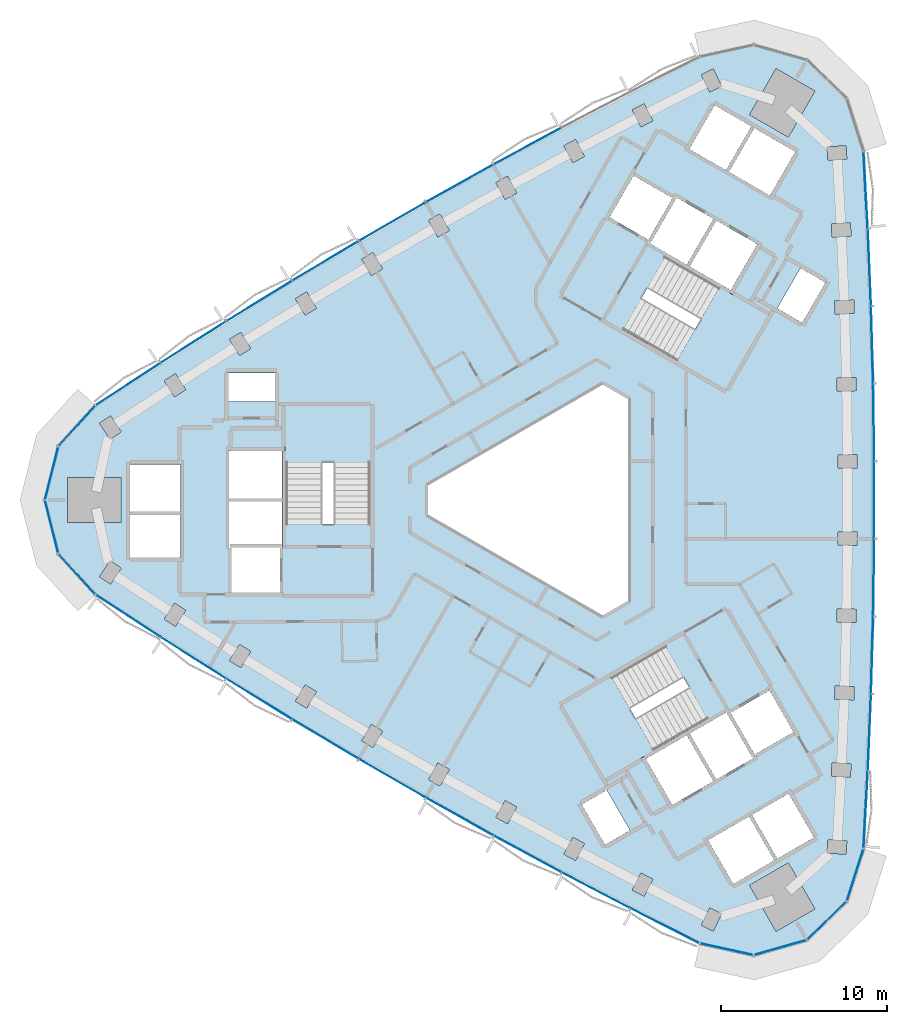
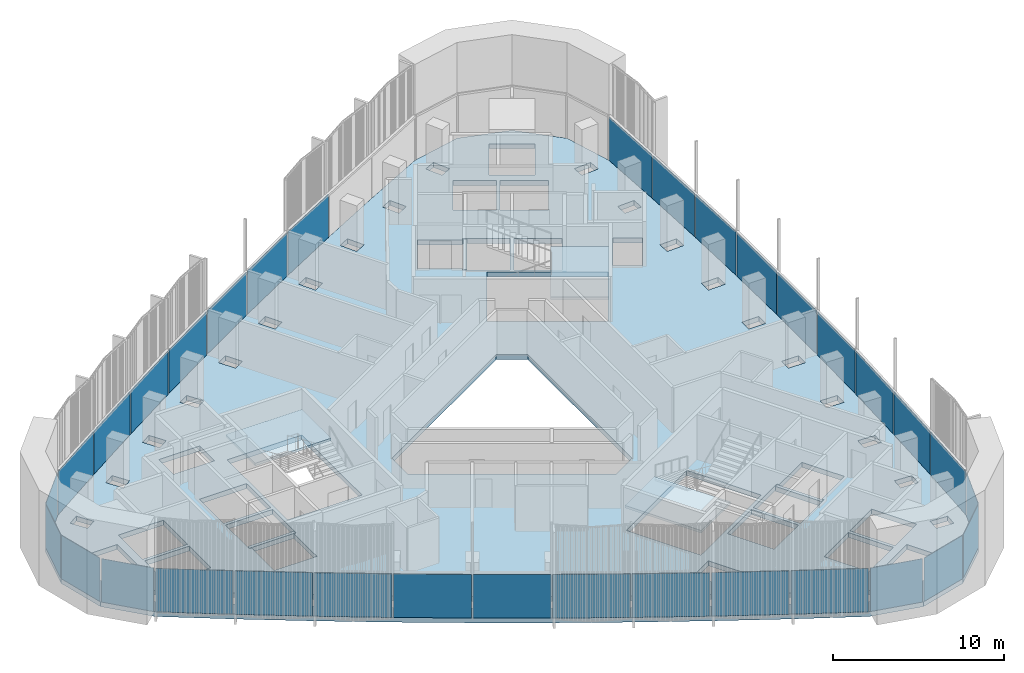
# One storey, part 6 of 14: 33 plates, 4 slabs, 6 elements without a shape of their own.
"""IFC4 building model written with IfcOpenShell, lengths in metres."""

from ifc_helpers import new_model, si_unit, direction, frame, origin, origin_2d, place, context, subcontext, project, spatial, polyline, rectangle, outline, extrude, material, layer, layer_set, type_object, element, aggregate, save


model = new_model("IFC4")

# Units and contexts
model_context = context("Model", 3, precision=1e-05, world=origin(), true_north=direction((0.0, 1.0)))
body_context = subcontext(model_context, "Body", "Model", "MODEL_VIEW")
ifc_project = project(units=[si_unit("LENGTHUNIT", "METRE"), si_unit("AREAUNIT", "SQUARE_METRE"), si_unit("VOLUMEUNIT", "CUBIC_METRE"), si_unit("PLANEANGLEUNIT", "RADIAN"), si_unit("MASSUNIT", "GRAM", prefix="KILO")], contexts=[model_context])

# Site, building, storey
site_placement = place(None, origin())
site = spatial("IfcSite", under=ifc_project, at=site_placement, CompositionType="ELEMENT")
building_placement = place(site_placement, origin())
building = spatial("IfcBuilding", under=site, at=building_placement, Name="Tamra Quay Hotel Tower", CompositionType="ELEMENT")
storey_placement = place(building_placement, frame((0.0, 0.0, 175.60009765625)))
storey = spatial("IfcBuildingStorey", under=building, at=storey_placement, Name="L43", CompositionType="ELEMENT", Elevation=175.60009765625)

# Stair, slab
ifc_material_1 = material(Name="Exit stair 2200 24 risers 150.0 going 342")
stair_type = type_object("IfcStairType", Name="Exit stair 2200 24 risers 150.0 going 342", PredefinedType="HALF_TURN_STAIR", material=ifc_material_1)
stair_1_placement = place(storey_placement, origin())
stair_1 = element("IfcStair", 1, at=stair_1_placement, inside=storey, type_object=stair_type, Name="L43 Exit stair ST3", PredefinedType="HALF_TURN_STAIR")
ifc_material_2 = material(Name="Concrete M70", Category="concrete")
ifc_layer_1 = layer(ifc_material_2, 0.175048828125)
ifc_layer_set_1 = layer_set([ifc_layer_1], Name="Concrete M70 stair landing 180")
slab_type_1 = type_object("IfcSlabType", Name="Concrete M70 stair landing 180", PredefinedType="LANDING", material=ifc_layer_set_1)
slab_1_placement = place(storey_placement, frame((0.0, 0.0, 1.625)))
slab_1 = element("IfcSlab", 2, at=slab_1_placement, type_object=slab_type_1, Name="ST3 landing 1", PredefinedType="LANDING", context=body_context, shape_type="SweptSolid", body=[
    extrude(outline(polyline([(-10.932373046875, 2.261962890625), (-10.932373046875, 5.679931640625), (-16.09130859375, 5.679931640625), (-16.09130859375, 2.261962890625), (-10.932373046875, 2.261962890625)])), origin(), (0.0, 0.0, 1.0), 0.1748046875),
])
aggregate(stair_1, [slab_1])

stair_2_placement = place(storey_placement, origin())
stair_2 = element("IfcStair", 3, at=stair_2_placement, inside=storey, type_object=stair_type, Name="L43 Exit stair ST1", PredefinedType="HALF_TURN_STAIR")
slab_2_placement = place(storey_placement, frame((0.0, 0.0, 1.625)))
slab_2 = element("IfcSlab", 4, at=slab_2_placement, type_object=slab_type_1, Name="ST1 landing 1", PredefinedType="LANDING", context=body_context, shape_type="SweptSolid", body=[
    extrude(outline(polyline([(7.425048828125, 8.336669921875), (10.385009765625, 6.627685546875), (12.964599609375, 11.095458984375), (10.00439453125, 12.804443359375), (7.425048828125, 8.336669921875)])), origin(), (0.0, 0.0, 1.0), 0.1748046875),
])
aggregate(stair_2, [slab_2])

stair_3_placement = place(storey_placement, origin())
stair_3 = element("IfcStair", 5, at=stair_3_placement, inside=storey, type_object=stair_type, Name="L43 Exit stair ST2", PredefinedType="HALF_TURN_STAIR")
slab_3_placement = place(storey_placement, frame((0.0, 0.0, 1.625)))
slab_3 = element("IfcSlab", 6, at=slab_3_placement, type_object=slab_type_1, Name="ST2 landing 1", PredefinedType="LANDING", context=body_context, shape_type="SweptSolid", body=[
    extrude(outline(polyline([(3.50732421875, -10.5986328125), (0.547119140625, -12.3076171875), (3.126708984375, -16.775390625), (6.086669921875, -15.06640625), (3.50732421875, -10.5986328125)])), origin(), (0.0, 0.0, 1.0), 0.1748046875),
])
aggregate(stair_3, [slab_3])

# Slab
ifc_material_3 = material(Name="Concrete M60", Category="concrete")
ifc_layer_2 = layer(ifc_material_3, 0.35009765625)
ifc_layer_set_2 = layer_set([ifc_layer_2], Name="FLOOR SLAB PT 350")
slab_type_2 = type_object("IfcSlabType", Name="FLOOR SLAB PT 350", PredefinedType="FLOOR", material=ifc_layer_set_2)
slab_4_placement = place(storey_placement, frame((0.0, 0.0, -0.35009765625)))
element("IfcSlab", 7, at=slab_4_placement, inside=storey, type_object=slab_type_2, Name="SLAB-L43", PredefinedType="FLOOR", context=body_context, shape_type="SweptSolid", body=[
    extrude(outline(polyline([(18.923583984375, 16.302734375), (19.117431640625, 11.646728515625), (19.246826171875, 6.989501953125), (19.3115234375, 2.330078125), (19.3115234375, -2.330078125), (19.246826171875, -6.989501953125), (19.117431640625, -11.646728515625), (18.923583984375, -16.302734375), (18.665283203125, -20.955078125), (17.65576171875, -24.1259765625), (15.2666015625, -26.4423828125), (12.06591796875, -27.353271484375), (8.81494140625, -26.642333984375), (4.65673828125, -24.539794921875), (0.527587890625, -22.379638671875), (-3.5703125, -20.1630859375), (-7.637939453125, -17.88916015625), (-11.673583984375, -15.55908203125), (-15.676513671875, -13.17333984375), (-19.645263671875, -10.73291015625), (-23.580322265625, -8.23681640625), (-27.48046875, -5.68701171875), (-29.7216796875, -3.227294921875), (-30.532958984375, 0.0), (-29.7216796875, 3.227294921875), (-27.48046875, 5.68701171875), (-23.580322265625, 8.23681640625), (-19.645263671875, 10.73291015625), (-15.676513671875, 13.17333984375), (-11.673583984375, 15.55908203125), (-7.637939453125, 17.88916015625), (-3.5703125, 20.1630859375), (0.527587890625, 22.379638671875), (4.65673828125, 24.539794921875), (8.81494140625, 26.642333984375), (12.06591796875, 27.353271484375), (15.2666015625, 26.4423828125), (17.65576171875, 24.1259765625), (18.665283203125, 20.955078125), (18.923583984375, 16.302734375)]), holes=[polyline([(-11.500244140625, -14.4736328125), (-10.810302734375, -14.87841796875), (-10.228271484375, -13.88671875), (-10.918212890625, -13.481689453125), (-11.500244140625, -14.4736328125)]), polyline([(-14.89208984375, -11.106689453125), (-15.488037109375, -12.09033203125), (-14.8037109375, -12.5048828125), (-14.207763671875, -11.521240234375), (-14.89208984375, -11.106689453125)]), polyline([(-18.83349609375, -8.6767578125), (-19.4423828125, -9.65234375), (-18.763916015625, -10.075927734375), (-18.15478515625, -9.100341796875), (-18.83349609375, -8.6767578125)]), polyline([(-23.362548828125, -7.159423828125), (-22.689697265625, -7.59228515625), (-22.0673828125, -6.62548828125), (-22.739990234375, -6.1923828125), (-23.362548828125, -7.159423828125)]), polyline([(-26.6123046875, -3.654296875), (-27.247802734375, -4.612548828125), (-26.5810546875, -5.0546875), (-25.945556640625, -4.096435546875), (-26.6123046875, -3.654296875)]), polyline([(-16.3173828125, -2.85498046875), (-19.4072265625, -2.85498046875), (-19.4072265625, -2.89306640625), (-19.307373046875, -2.89306640625), (-19.307373046875, -5.544921875), (-16.417236328125, -5.544921875), (-16.417236328125, -2.89306640625), (-16.3173828125, -2.89306640625), (-16.3173828125, -2.85498046875)]), polyline([(-22.3671875, -0.905029296875), (-25.4072265625, -0.905029296875), (-25.4072265625, -3.445068359375), (-22.3671875, -3.445068359375), (-22.3671875, -0.905029296875)]), polyline([(-19.417236328125, -2.89306640625), (-19.417236328125, -2.64501953125), (-16.307373046875, -2.64501953125), (-16.307373046875, -2.89306640625), (-16.26708984375, -2.89306640625), (-16.26708984375, -0.10498046875), (-19.45751953125, -0.10498046875), (-19.45751953125, -2.89306640625), (-19.417236328125, -2.89306640625)]), polyline([(-25.958984375, 1.35009765625), (-29.158935546875, 1.35009765625), (-29.158935546875, -1.35009765625), (-25.958984375, -1.35009765625), (-25.958984375, 1.35009765625)]), polyline([(-25.4072265625, -0.695068359375), (-22.3671875, -0.695068359375), (-22.3671875, 2.14501953125), (-25.4072265625, 2.14501953125), (-25.4072265625, -0.695068359375)]), polyline([(-19.45751953125, 0.10498046875), (-16.26708984375, 0.10498046875), (-16.26708984375, 2.945068359375), (-19.45751953125, 2.945068359375), (-19.45751953125, 0.10498046875)]), polyline([(-16.036376953125, -1.455078125), (-10.9873046875, -1.455078125), (-10.9873046875, 5.625), (-16.036376953125, 5.625), (-16.036376953125, -1.455078125)]), polyline([(-25.945556640625, 4.096435546875), (-26.5810546875, 5.0546875), (-27.247802734375, 4.612548828125), (-26.6123046875, 3.654296875), (-25.945556640625, 4.096435546875)]), polyline([(-19.50732421875, 7.64501953125), (-19.50732421875, 5.9150390625), (-16.71728515625, 5.9150390625), (-16.71728515625, 7.64501953125), (-19.50732421875, 7.64501953125)]), polyline([(-22.0673828125, 6.62548828125), (-22.689697265625, 7.59228515625), (-23.362548828125, 7.159423828125), (-22.739990234375, 6.1923828125), (-22.0673828125, 6.62548828125)]), polyline([(-18.15478515625, 9.100341796875), (-18.763916015625, 10.075927734375), (-19.4423828125, 9.65234375), (-18.83349609375, 8.6767578125), (-18.15478515625, 9.100341796875)]), polyline([(-14.207763671875, 11.521240234375), (-14.8037109375, 12.5048828125), (-15.488037109375, 12.09033203125), (-14.89208984375, 11.106689453125), (-14.207763671875, 11.521240234375)]), polyline([(-10.228271484375, 13.88671875), (-10.810302734375, 14.87841796875), (-11.500244140625, 14.4736328125), (-10.918212890625, 13.481689453125), (-10.228271484375, 13.88671875)]), polyline([(-6.21630859375, 16.196533203125), (-6.784423828125, 17.1962890625), (-7.47998046875, 16.80126953125), (-6.912109375, 15.801513671875), (-6.21630859375, 16.196533203125)]), polyline([(9.42529296875, -24.517578125), (8.9130859375, -25.547119140625), (9.629150390625, -25.903564453125), (10.141357421875, -24.8740234375), (9.42529296875, -24.517578125)]), polyline([(4.76953125, -23.4462890625), (5.48095703125, -23.812255859375), (6.007080078125, -22.78955078125), (5.2958984375, -22.423583984375), (4.76953125, -23.4462890625)]), polyline([(1.196533203125, -20.272705078125), (0.656005859375, -21.28759765625), (1.362060546875, -21.663818359375), (1.902587890625, -20.648681640625), (1.196533203125, -20.272705078125)]), polyline([(1.73779296875, -18.300048828125), (3.1328125, -20.71630859375), (4.631103515625, -19.851318359375), (3.236083984375, -17.43505859375), (1.73779296875, -18.300048828125)]), polyline([(-2.873779296875, -18.06494140625), (-3.427734375, -19.072998046875), (-2.7265625, -19.458251953125), (-2.172607421875, -18.4501953125), (-2.873779296875, -18.06494140625)]), polyline([(-6.912109375, -15.801513671875), (-7.47998046875, -16.80126953125), (-6.784423828125, -17.1962890625), (-6.21630859375, -16.196533203125), (-6.912109375, -15.801513671875)]), polyline([(9.6376953125, -16.903076171875), (8.042724609375, -14.14013671875), (5.5830078125, -15.560302734375), (7.17822265625, -18.322998046875), (9.6376953125, -16.903076171875)]), polyline([(12.214111328125, -15.369384765625), (11.999267578125, -15.493408203125), (10.4443359375, -12.800048828125), (10.6591796875, -12.676025390625), (10.63916015625, -12.64111328125), (8.224609375, -14.03515625), (9.819580078125, -16.798095703125), (12.234130859375, -15.404052734375), (12.214111328125, -15.369384765625)]), polyline([(6.75390625, -8.78759765625), (0.622314453125, -12.32763671875), (3.146728515625, -16.7001953125), (9.2783203125, -13.160400390625), (6.75390625, -8.78759765625)]), polyline([(3.0, 7.043701171875), (-7.60009765625, 0.923828125), (-7.60009765625, -0.923828125), (3.0, -7.043701171875), (4.60009765625, -6.119873046875), (4.60009765625, 6.119873046875), (3.0, 7.043701171875)]), polyline([(6.758056640625, 14.615478515625), (4.2333984375, 10.242919921875), (10.364990234375, 6.702880859375), (12.889404296875, 11.075439453125), (6.758056640625, 14.615478515625)]), polyline([(9.819580078125, 16.798095703125), (8.224365234375, 14.035400390625), (10.68408203125, 12.615234375), (12.279052734375, 15.378173828125), (9.819580078125, 16.798095703125)]), polyline([(7.203125, 18.262451171875), (7.41796875, 18.138427734375), (5.863037109375, 15.445068359375), (5.648193359375, 15.569091796875), (5.628173828125, 15.5341796875), (8.04248046875, 14.140380859375), (9.6376953125, 16.903076171875), (7.22314453125, 18.297119140625), (7.203125, 18.262451171875)]), polyline([(5.68603515625, 15.55859375), (7.231201171875, 18.234619140625), (7.1982421875, 18.253662109375), (7.148193359375, 18.1669921875), (4.8515625, 19.4931640625), (3.406494140625, 16.990234375), (5.703125, 15.664306640625), (5.6533203125, 15.57763671875), (5.68603515625, 15.55859375)]), polyline([(-2.172607421875, 18.4501953125), (-2.7265625, 19.458251953125), (-3.427734375, 19.072998046875), (-2.873779296875, 18.06494140625), (-2.172607421875, 18.4501953125)]), polyline([(1.362060546875, 21.663818359375), (0.656005859375, 21.28759765625), (1.196533203125, 20.272705078125), (1.902587890625, 20.648681640625), (1.362060546875, 21.663818359375)]), polyline([(8.2001953125, 21.093017578125), (10.39990234375, 19.822998046875), (11.919921875, 22.455810546875), (9.72021484375, 23.725830078125), (8.2001953125, 21.093017578125)]), polyline([(6.007080078125, 22.78955078125), (5.48095703125, 23.812255859375), (4.76953125, 23.4462890625), (5.2958984375, 22.423583984375), (6.007080078125, 22.78955078125)]), polyline([(10.141357421875, 24.8740234375), (9.629150390625, 25.903564453125), (8.9130859375, 25.547119140625), (9.42529296875, 24.517578125), (10.141357421875, 24.8740234375)]), polyline([(11.810302734375, -23.15625), (13.410400390625, -25.927490234375), (15.74853515625, -24.577392578125), (14.148681640625, -21.80615234375), (11.810302734375, -23.15625)]), polyline([(13.3056640625, -21.65576171875), (11.78564453125, -19.02294921875), (9.325927734375, -20.443115234375), (10.845947265625, -23.075927734375), (13.3056640625, -21.65576171875)]), polyline([(16.470703125, -21.2197265625), (17.61865234375, -21.291015625), (17.668212890625, -20.492431640625), (16.5205078125, -20.42138671875), (16.470703125, -21.2197265625)]), polyline([(11.96728515625, -18.91796875), (13.487548828125, -21.55078125), (15.68701171875, -20.281005859375), (14.1669921875, -17.648193359375), (11.96728515625, -18.91796875)]), polyline([(16.73291015625, -16.59716796875), (17.881591796875, -16.65283203125), (17.920166015625, -15.853759765625), (16.771484375, -15.798095703125), (16.73291015625, -16.59716796875)]), polyline([(10.631103515625, -12.70361328125), (12.176025390625, -15.379638671875), (12.208984375, -15.360595703125), (12.1591796875, -15.274169921875), (14.455810546875, -13.947998046875), (13.0107421875, -11.4453125), (10.714111328125, -12.771240234375), (10.6640625, -12.6845703125), (10.631103515625, -12.70361328125)]), polyline([(16.930908203125, -11.971923828125), (18.080322265625, -12.011474609375), (18.10791015625, -11.2119140625), (16.95849609375, -11.172607421875), (16.930908203125, -11.971923828125)]), polyline([(17.064697265625, -7.343505859375), (18.214599609375, -7.367919921875), (18.2314453125, -6.568115234375), (17.081787109375, -6.543701171875), (17.064697265625, -7.343505859375)]), polyline([(17.134765625, -2.714599609375), (18.28466796875, -2.72265625), (18.290283203125, -1.9228515625), (17.140380859375, -1.914794921875), (17.134765625, -2.714599609375)]), polyline([(17.140380859375, 1.914794921875), (18.290283203125, 1.9228515625), (18.28466796875, 2.72265625), (17.134765625, 2.714599609375), (17.140380859375, 1.914794921875)]), polyline([(18.2314453125, 6.568115234375), (18.214599609375, 7.367919921875), (17.064697265625, 7.343505859375), (17.081787109375, 6.543701171875), (18.2314453125, 6.568115234375)]), polyline([(16.95849609375, 11.172607421875), (18.10791015625, 11.2119140625), (18.080322265625, 12.011474609375), (16.930908203125, 11.971923828125), (16.95849609375, 11.172607421875)]), polyline([(14.9794921875, 10.655029296875), (16.37451171875, 13.0712890625), (14.876220703125, 13.936279296875), (13.481201171875, 11.52001953125), (14.9794921875, 10.655029296875)]), polyline([(16.771484375, 15.798095703125), (17.920166015625, 15.853759765625), (17.881591796875, 16.65283203125), (16.73291015625, 16.59716796875), (16.771484375, 15.798095703125)]), polyline([(12.101806640625, 22.350830078125), (10.58154296875, 19.718017578125), (13.041259765625, 18.298095703125), (14.561279296875, 20.930908203125), (12.101806640625, 22.350830078125)]), polyline([(16.5205078125, 20.42138671875), (17.668212890625, 20.492431640625), (17.61865234375, 21.291015625), (16.470703125, 21.2197265625), (16.5205078125, 20.42138671875)]), polyline([(14.148681640625, 21.80615234375), (15.74853515625, 24.577392578125), (13.410400390625, 25.927490234375), (11.810302734375, 23.15625), (14.148681640625, 21.80615234375)])]), origin(), (0.0, 0.0, 1.0), 0.35009765625),
])

# Curtain wall, plates
ifc_material_4 = material(Name="Aluminium 6063 anodised dark grey", Category="aluminium")
curtain_wall_type_1 = type_object("IfcCurtainWallType", Name="CW1 CURTAIN WALL", PredefinedType="NOTDEFINED", material=ifc_material_4)
curtain_wall_1_placement = place(storey_placement, origin())
curtain_wall_1 = element("IfcCurtainWall", 8, at=curtain_wall_1_placement, inside=storey, type_object=curtain_wall_type_1, Name="CW1 east face L43", PredefinedType="NOTDEFINED")
ifc_material_5 = material(Name="Glass clear laminated low-iron", Category="glass")
ifc_layer_3 = layer(ifc_material_5, 0.030029296875)
ifc_layer_set_3 = layer_set([ifc_layer_3], Name="GLASS PANEL CW1 Z4")
plate_type_1 = type_object("IfcPlateType", Name="GLASS PANEL CW1 Z4", PredefinedType="CURTAIN_PANEL", material=ifc_layer_set_3)
plate_1_placement = place(storey_placement, frame((18.79443359375, -18.62890625, 0.0), z_axis=(0.0, 0.0, 1.0), x_axis=(0.055416978175, 0.998463298539, 0.0)))
plate_1 = element("IfcPlate", 9, at=plate_1_placement, type_object=plate_type_1, Name="CW1 glass L43.E.1", PredefinedType="CURTAIN_PANEL", context=body_context, shape_type="SweptSolid", body=[
    extrude(rectangle(XDim=4.5595703125, YDim=0.030029296875, at=origin_2d()), origin(), (0.0, 0.0, 1.0), 3.110107421875),
])
plate_2_placement = place(storey_placement, frame((19.0205078125, -13.974853515625, 0.0), z_axis=(0.0, 0.0, 1.0), x_axis=(0.041599830799, 0.999134352366, 0.0)))
plate_2 = element("IfcPlate", 10, at=plate_2_placement, type_object=plate_type_1, Name="CW1 glass L43.E.2", PredefinedType="CURTAIN_PANEL", context=body_context, shape_type="SweptSolid", body=[
    extrude(rectangle(XDim=4.56005859375, YDim=0.030029296875, at=origin_2d()), origin(), (0.0, 0.0, 1.0), 3.110107421875),
])
plate_3_placement = place(storey_placement, frame((19.18212890625, -9.318115234375, 0.0), z_axis=(0.0, 0.0, 1.0), x_axis=(0.02775369181, 0.999614792103, 0.0)))
plate_3 = element("IfcPlate", 11, at=plate_3_placement, type_object=plate_type_1, Name="CW1 glass L43.E.3", PredefinedType="CURTAIN_PANEL", context=body_context, shape_type="SweptSolid", body=[
    extrude(rectangle(XDim=4.55908203125, YDim=0.030029296875, at=origin_2d()), origin(), (0.0, 0.0, 1.0), 3.110107421875),
])
plate_4_placement = place(storey_placement, frame((19.279052734375, -4.65966796875, 0.0), z_axis=(0.0, 0.0, 1.0), x_axis=(0.013885994278, 0.999903584934, 0.0)))
plate_4 = element("IfcPlate", 12, at=plate_4_placement, type_object=plate_type_1, Name="CW1 glass L43.E.4", PredefinedType="CURTAIN_PANEL", context=body_context, shape_type="SweptSolid", body=[
    extrude(rectangle(XDim=4.56005859375, YDim=0.030029296875, at=origin_2d()), origin(), (0.0, 0.0, 1.0), 3.110107421875),
])
plate_5_placement = place(storey_placement, frame((19.3115234375, 0.0, 0.0), z_axis=(0.0, 0.0, 1.0), x_axis=(0.0, 1.0, 0.0)))
plate_5 = element("IfcPlate", 13, at=plate_5_placement, type_object=plate_type_1, Name="CW1 glass L43.E.5", PredefinedType="CURTAIN_PANEL", context=body_context, shape_type="SweptSolid", body=[
    extrude(rectangle(XDim=4.56005859375, YDim=0.030029296875, at=origin_2d()), origin(), (0.0, 0.0, 1.0), 3.110107421875),
])
plate_6_placement = place(storey_placement, frame((19.279052734375, 4.65966796875, 0.0), z_axis=(0.0, 0.0, 1.0), x_axis=(-0.013885994278, 0.999903584934, 0.0)))
plate_6 = element("IfcPlate", 14, at=plate_6_placement, type_object=plate_type_1, Name="CW1 glass L43.E.6", PredefinedType="CURTAIN_PANEL", context=body_context, shape_type="SweptSolid", body=[
    extrude(rectangle(XDim=4.56005859375, YDim=0.030029296875, at=origin_2d()), origin(), (0.0, 0.0, 1.0), 3.110107421875),
])
plate_7_placement = place(storey_placement, frame((19.18212890625, 9.318115234375, 0.0), z_axis=(0.0, 0.0, 1.0), x_axis=(-0.02775369181, 0.999614792103, 0.0)))
plate_7 = element("IfcPlate", 15, at=plate_7_placement, type_object=plate_type_1, Name="CW1 glass L43.E.7", PredefinedType="CURTAIN_PANEL", context=body_context, shape_type="SweptSolid", body=[
    extrude(rectangle(XDim=4.55908203125, YDim=0.030029296875, at=origin_2d()), origin(), (0.0, 0.0, 1.0), 3.110107421875),
])
plate_8_placement = place(storey_placement, frame((19.0205078125, 13.974853515625, 0.0), z_axis=(0.0, 0.0, 1.0), x_axis=(-0.041599830799, 0.999134352366, 0.0)))
plate_8 = element("IfcPlate", 16, at=plate_8_placement, type_object=plate_type_1, Name="CW1 glass L43.E.8", PredefinedType="CURTAIN_PANEL", context=body_context, shape_type="SweptSolid", body=[
    extrude(rectangle(XDim=4.56005859375, YDim=0.030029296875, at=origin_2d()), origin(), (0.0, 0.0, 1.0), 3.110107421875),
])
plate_9_placement = place(storey_placement, frame((18.79443359375, 18.62890625, 0.0), z_axis=(0.0, 0.0, 1.0), x_axis=(-0.055416978175, 0.998463298539, 0.0)))
plate_9 = element("IfcPlate", 17, at=plate_9_placement, type_object=plate_type_1, Name="CW1 glass L43.E.9", PredefinedType="CURTAIN_PANEL", context=body_context, shape_type="SweptSolid", body=[
    extrude(rectangle(XDim=4.5595703125, YDim=0.030029296875, at=origin_2d()), origin(), (0.0, 0.0, 1.0), 3.110107421875),
])
aggregate(curtain_wall_1, [plate_1, plate_2, plate_3, plate_4, plate_5, plate_6, plate_7, plate_8, plate_9])

curtain_wall_type_2 = type_object("IfcCurtainWallType", Name="CW2 CURTAIN WALL", PredefinedType="NOTDEFINED", material=ifc_material_4)
curtain_wall_2_placement = place(storey_placement, origin())
curtain_wall_2 = element("IfcCurtainWall", 18, at=curtain_wall_2_placement, inside=storey, type_object=curtain_wall_type_2, Name="CW2 north-west face L43", PredefinedType="NOTDEFINED")
ifc_layer_4 = layer(ifc_material_5, 0.030029296875)
ifc_layer_set_4 = layer_set([ifc_layer_4], Name="GLASS PANEL CW2 Z4")
plate_type_2 = type_object("IfcPlateType", Name="GLASS PANEL CW2 Z4", PredefinedType="CURTAIN_PANEL", material=ifc_layer_set_4)
plate_10_placement = place(storey_placement, frame((-1.521240234375, 21.271240234375, 0.0), z_axis=(0.0, 0.0, 1.0), x_axis=(-0.879568649865, -0.475771993896, 0.0)))
plate_10 = element("IfcPlate", 19, at=plate_10_placement, type_object=plate_type_2, Name="CW2 glass L43.NW.3", PredefinedType="CURTAIN_PANEL", context=body_context, shape_type="SweptSolid", body=[
    extrude(rectangle(XDim=4.55908203125, YDim=0.030029296875, at=origin_2d()), origin(), (0.0, 0.0, 1.0), 3.110107421875),
])
plate_11_placement = place(storey_placement, frame((-5.60400390625, 19.026123046875, 0.0), z_axis=(0.0, 0.0, 1.0), x_axis=(-0.872884903026, -0.487926168665, 0.0)))
plate_11 = element("IfcPlate", 20, at=plate_11_placement, type_object=plate_type_2, Name="CW2 glass L43.NW.4", PredefinedType="CURTAIN_PANEL", context=body_context, shape_type="SweptSolid", body=[
    extrude(rectangle(XDim=4.56005859375, YDim=0.030029296875, at=origin_2d()), origin(), (0.0, 0.0, 1.0), 3.110107421875),
])
plate_12_placement = place(storey_placement, frame((-9.65576171875, 16.72412109375, 0.0), z_axis=(0.0, 0.0, 1.0), x_axis=(-0.866025403784, -0.5, 0.0)))
plate_12 = element("IfcPlate", 21, at=plate_12_placement, type_object=plate_type_2, Name="CW2 glass L43.NW.5", PredefinedType="CURTAIN_PANEL", context=body_context, shape_type="SweptSolid", body=[
    extrude(rectangle(XDim=4.56005859375, YDim=0.030029296875, at=origin_2d()), origin(), (0.0, 0.0, 1.0), 3.110107421875),
])
plate_13_placement = place(storey_placement, frame((-13.675048828125, 14.3662109375, 0.0), z_axis=(0.0, 0.0, 1.0), x_axis=(-0.858998908749, -0.511977416268, 0.0)))
plate_13 = element("IfcPlate", 22, at=plate_13_placement, type_object=plate_type_2, Name="CW2 glass L43.NW.6", PredefinedType="CURTAIN_PANEL", context=body_context, shape_type="SweptSolid", body=[
    extrude(rectangle(XDim=4.56005859375, YDim=0.030029296875, at=origin_2d()), origin(), (0.0, 0.0, 1.0), 3.110107421875),
])
plate_14_placement = place(storey_placement, frame((-17.660888671875, 11.953125, 0.0), z_axis=(0.0, 0.0, 1.0), x_axis=(-0.851814958055, -0.523842798207, 0.0)))
plate_14 = element("IfcPlate", 23, at=plate_14_placement, type_object=plate_type_2, Name="CW2 glass L43.NW.7", PredefinedType="CURTAIN_PANEL", context=body_context, shape_type="SweptSolid", body=[
    extrude(rectangle(XDim=4.55908203125, YDim=0.030029296875, at=origin_2d()), origin(), (0.0, 0.0, 1.0), 3.110107421875),
])
plate_15_placement = place(storey_placement, frame((-21.61279296875, 9.48486328125, 0.0), z_axis=(0.0, 0.0, 1.0), x_axis=(-0.844475815543, -0.535593686448, 0.0)))
plate_15 = element("IfcPlate", 24, at=plate_15_placement, type_object=plate_type_2, Name="CW2 glass L43.NW.8", PredefinedType="CURTAIN_PANEL", context=body_context, shape_type="SweptSolid", body=[
    extrude(rectangle(XDim=4.56005859375, YDim=0.030029296875, at=origin_2d()), origin(), (0.0, 0.0, 1.0), 3.110107421875),
])
plate_16_placement = place(storey_placement, frame((-25.5302734375, 6.962158203125, 0.0), z_axis=(0.0, 0.0, 1.0), x_axis=(-0.836986092194, -0.54722416017, 0.0)))
plate_16 = element("IfcPlate", 25, at=plate_16_placement, type_object=plate_type_2, Name="CW2 glass L43.NW.9", PredefinedType="CURTAIN_PANEL", context=body_context, shape_type="SweptSolid", body=[
    extrude(rectangle(XDim=4.5595703125, YDim=0.030029296875, at=origin_2d()), origin(), (0.0, 0.0, 1.0), 3.110107421875),
])
plate_17_placement = place(storey_placement, frame((-28.60107421875, 4.457275390625, 0.0), z_axis=(0.0, 0.0, 1.0), x_axis=(-0.673495681519, -0.739191157262, 0.0)))
plate_17 = element("IfcPlate", 26, at=plate_17_placement, type_object=plate_type_2, Name="CW2 glass L43.NW.10", PredefinedType="CURTAIN_PANEL", context=body_context, shape_type="SweptSolid", body=[
    extrude(rectangle(XDim=3.227783203125, YDim=0.030029296875, at=origin_2d()), origin(), (0.0, 0.0, 1.0), 3.110107421875),
])
plate_18_placement = place(storey_placement, frame((-30.127197265625, 1.61376953125, 0.0), z_axis=(0.0, 0.0, 1.0), x_axis=(-0.243826260198, -0.969818928892, 0.0)))
plate_18 = element("IfcPlate", 27, at=plate_18_placement, type_object=plate_type_2, Name="CW2 glass L43.NW.11", PredefinedType="CURTAIN_PANEL", context=body_context, shape_type="SweptSolid", body=[
    extrude(rectangle(XDim=3.227783203125, YDim=0.030029296875, at=origin_2d()), origin(), (0.0, 0.0, 1.0), 3.110107421875),
])
plate_19_placement = place(storey_placement, frame((-30.127197265625, -1.61376953125, 0.0), z_axis=(0.0, 0.0, 1.0), x_axis=(0.243826260198, -0.969818928892, 0.0)))
plate_19 = element("IfcPlate", 28, at=plate_19_placement, type_object=plate_type_2, Name="CW2 glass L43.NW.12", PredefinedType="CURTAIN_PANEL", context=body_context, shape_type="SweptSolid", body=[
    extrude(rectangle(XDim=3.227783203125, YDim=0.030029296875, at=origin_2d()), origin(), (0.0, 0.0, 1.0), 3.110107421875),
])
plate_20_placement = place(storey_placement, frame((-28.60107421875, -4.457275390625, 0.0), z_axis=(0.0, 0.0, 1.0), x_axis=(0.673495681519, -0.739191157262, 0.0)))
plate_20 = element("IfcPlate", 29, at=plate_20_placement, type_object=plate_type_2, Name="CW2 glass L43.NW.13", PredefinedType="CURTAIN_PANEL", context=body_context, shape_type="SweptSolid", body=[
    extrude(rectangle(XDim=3.227783203125, YDim=0.030029296875, at=origin_2d()), origin(), (0.0, 0.0, 1.0), 3.110107421875),
])
aggregate(curtain_wall_2, [plate_10, plate_11, plate_12, plate_13, plate_14, plate_15, plate_16, plate_17, plate_18, plate_19, plate_20])

curtain_wall_type_3 = type_object("IfcCurtainWallType", Name="CW3 CURTAIN WALL", PredefinedType="NOTDEFINED", material=ifc_material_4)
curtain_wall_3_placement = place(storey_placement, origin())
curtain_wall_3 = element("IfcCurtainWall", 30, at=curtain_wall_3_placement, inside=storey, type_object=curtain_wall_type_3, Name="CW3 south-west face L43", PredefinedType="NOTDEFINED")
ifc_layer_5 = layer(ifc_material_5, 0.030029296875)
ifc_layer_set_5 = layer_set([ifc_layer_5], Name="GLASS PANEL CW3 Z4")
plate_type_3 = type_object("IfcPlateType", Name="GLASS PANEL CW3 Z4", PredefinedType="CURTAIN_PANEL", material=ifc_layer_set_5)
plate_21_placement = place(storey_placement, frame((-25.5302734375, -6.962158203125, 0.0), z_axis=(0.0, 0.0, 1.0), x_axis=(0.836986092194, -0.54722416017, 0.0)))
plate_21 = element("IfcPlate", 31, at=plate_21_placement, type_object=plate_type_3, Name="CW3 glass L43.SW.1", PredefinedType="CURTAIN_PANEL", context=body_context, shape_type="SweptSolid", body=[
    extrude(rectangle(XDim=4.5595703125, YDim=0.030029296875, at=origin_2d()), origin(), (0.0, 0.0, 1.0), 3.110107421875),
])
plate_22_placement = place(storey_placement, frame((-21.61279296875, -9.48486328125, 0.0), z_axis=(0.0, 0.0, 1.0), x_axis=(0.844475815543, -0.535593686448, 0.0)))
plate_22 = element("IfcPlate", 32, at=plate_22_placement, type_object=plate_type_3, Name="CW3 glass L43.SW.2", PredefinedType="CURTAIN_PANEL", context=body_context, shape_type="SweptSolid", body=[
    extrude(rectangle(XDim=4.56005859375, YDim=0.030029296875, at=origin_2d()), origin(), (0.0, 0.0, 1.0), 3.110107421875),
])
plate_23_placement = place(storey_placement, frame((-17.660888671875, -11.953125, 0.0), z_axis=(0.0, 0.0, 1.0), x_axis=(0.851814958055, -0.523842798207, 0.0)))
plate_23 = element("IfcPlate", 33, at=plate_23_placement, type_object=plate_type_3, Name="CW3 glass L43.SW.3", PredefinedType="CURTAIN_PANEL", context=body_context, shape_type="SweptSolid", body=[
    extrude(rectangle(XDim=4.55908203125, YDim=0.030029296875, at=origin_2d()), origin(), (0.0, 0.0, 1.0), 3.110107421875),
])
plate_24_placement = place(storey_placement, frame((-13.675048828125, -14.3662109375, 0.0), z_axis=(0.0, 0.0, 1.0), x_axis=(0.858998908749, -0.511977416268, 0.0)))
plate_24 = element("IfcPlate", 34, at=plate_24_placement, type_object=plate_type_3, Name="CW3 glass L43.SW.4", PredefinedType="CURTAIN_PANEL", context=body_context, shape_type="SweptSolid", body=[
    extrude(rectangle(XDim=4.56005859375, YDim=0.030029296875, at=origin_2d()), origin(), (0.0, 0.0, 1.0), 3.110107421875),
])
plate_25_placement = place(storey_placement, frame((-9.65576171875, -16.72412109375, 0.0), z_axis=(0.0, 0.0, 1.0), x_axis=(0.866025403784, -0.5, 0.0)))
plate_25 = element("IfcPlate", 35, at=plate_25_placement, type_object=plate_type_3, Name="CW3 glass L43.SW.5", PredefinedType="CURTAIN_PANEL", context=body_context, shape_type="SweptSolid", body=[
    extrude(rectangle(XDim=4.56005859375, YDim=0.030029296875, at=origin_2d()), origin(), (0.0, 0.0, 1.0), 3.110107421875),
])
plate_26_placement = place(storey_placement, frame((-5.60400390625, -19.026123046875, 0.0), z_axis=(0.0, 0.0, 1.0), x_axis=(0.872884903026, -0.487926168665, 0.0)))
plate_26 = element("IfcPlate", 36, at=plate_26_placement, type_object=plate_type_3, Name="CW3 glass L43.SW.6", PredefinedType="CURTAIN_PANEL", context=body_context, shape_type="SweptSolid", body=[
    extrude(rectangle(XDim=4.56005859375, YDim=0.030029296875, at=origin_2d()), origin(), (0.0, 0.0, 1.0), 3.110107421875),
])
plate_27_placement = place(storey_placement, frame((-1.521240234375, -21.271240234375, 0.0), z_axis=(0.0, 0.0, 1.0), x_axis=(0.879568649865, -0.475771993896, 0.0)))
plate_27 = element("IfcPlate", 37, at=plate_27_placement, type_object=plate_type_3, Name="CW3 glass L43.SW.7", PredefinedType="CURTAIN_PANEL", context=body_context, shape_type="SweptSolid", body=[
    extrude(rectangle(XDim=4.55908203125, YDim=0.030029296875, at=origin_2d()), origin(), (0.0, 0.0, 1.0), 3.110107421875),
])
plate_28_placement = place(storey_placement, frame((2.59228515625, -23.459716796875, 0.0), z_axis=(0.0, 0.0, 1.0), x_axis=(0.886075646342, -0.463540665918, 0.0)))
plate_28 = element("IfcPlate", 38, at=plate_28_placement, type_object=plate_type_3, Name="CW3 glass L43.SW.8", PredefinedType="CURTAIN_PANEL", context=body_context, shape_type="SweptSolid", body=[
    extrude(rectangle(XDim=4.56005859375, YDim=0.030029296875, at=origin_2d()), origin(), (0.0, 0.0, 1.0), 3.110107421875),
])
plate_29_placement = place(storey_placement, frame((6.73583984375, -25.591064453125, 0.0), z_axis=(0.0, 0.0, 1.0), x_axis=(0.892403070369, -0.451239138369, 0.0)))
plate_29 = element("IfcPlate", 39, at=plate_29_placement, type_object=plate_type_3, Name="CW3 glass L43.SW.9", PredefinedType="CURTAIN_PANEL", context=body_context, shape_type="SweptSolid", body=[
    extrude(rectangle(XDim=4.5595703125, YDim=0.030029296875, at=origin_2d()), origin(), (0.0, 0.0, 1.0), 3.110107421875),
])
plate_30_placement = place(storey_placement, frame((10.4404296875, -26.997802734375, 0.0), z_axis=(0.0, 0.0, 1.0), x_axis=(0.976906161202, -0.213668790904, 0.0)))
plate_30 = element("IfcPlate", 40, at=plate_30_placement, type_object=plate_type_3, Name="CW3 glass L43.SW.10", PredefinedType="CURTAIN_PANEL", context=body_context, shape_type="SweptSolid", body=[
    extrude(rectangle(XDim=3.227783203125, YDim=0.030029296875, at=origin_2d()), origin(), (0.0, 0.0, 1.0), 3.110107421875),
])
plate_31_placement = place(storey_placement, frame((13.666259765625, -26.897705078125, 0.0), z_axis=(0.0, 0.0, 1.0), x_axis=(0.961800959591, 0.273749729005, 0.0)))
plate_31 = element("IfcPlate", 41, at=plate_31_placement, type_object=plate_type_3, Name="CW3 glass L43.SW.11", PredefinedType="CURTAIN_PANEL", context=body_context, shape_type="SweptSolid", body=[
    extrude(rectangle(XDim=3.227783203125, YDim=0.030029296875, at=origin_2d()), origin(), (0.0, 0.0, 1.0), 3.110107421875),
])
plate_32_placement = place(storey_placement, frame((16.461181640625, -25.2841796875, 0.0), z_axis=(0.0, 0.0, 1.0), x_axis=(0.717974699393, 0.696069199888, 0.0)))
plate_32 = element("IfcPlate", 42, at=plate_32_placement, type_object=plate_type_3, Name="CW3 glass L43.SW.12", PredefinedType="CURTAIN_PANEL", context=body_context, shape_type="SweptSolid", body=[
    extrude(rectangle(XDim=3.227783203125, YDim=0.030029296875, at=origin_2d()), origin(), (0.0, 0.0, 1.0), 3.110107421875),
])
plate_33_placement = place(storey_placement, frame((18.16064453125, -22.54052734375, 0.0), z_axis=(0.0, 0.0, 1.0), x_axis=(0.303410479682, 0.952859948166, 0.0)))
plate_33 = element("IfcPlate", 43, at=plate_33_placement, type_object=plate_type_3, Name="CW3 glass L43.SW.13", PredefinedType="CURTAIN_PANEL", context=body_context, shape_type="SweptSolid", body=[
    extrude(rectangle(XDim=3.227783203125, YDim=0.030029296875, at=origin_2d()), origin(), (0.0, 0.0, 1.0), 3.110107421875),
])
aggregate(curtain_wall_3, [plate_21, plate_22, plate_23, plate_24, plate_25, plate_26, plate_27, plate_28, plate_29, plate_30, plate_31, plate_32, plate_33])

save(model, "model.ifc")
